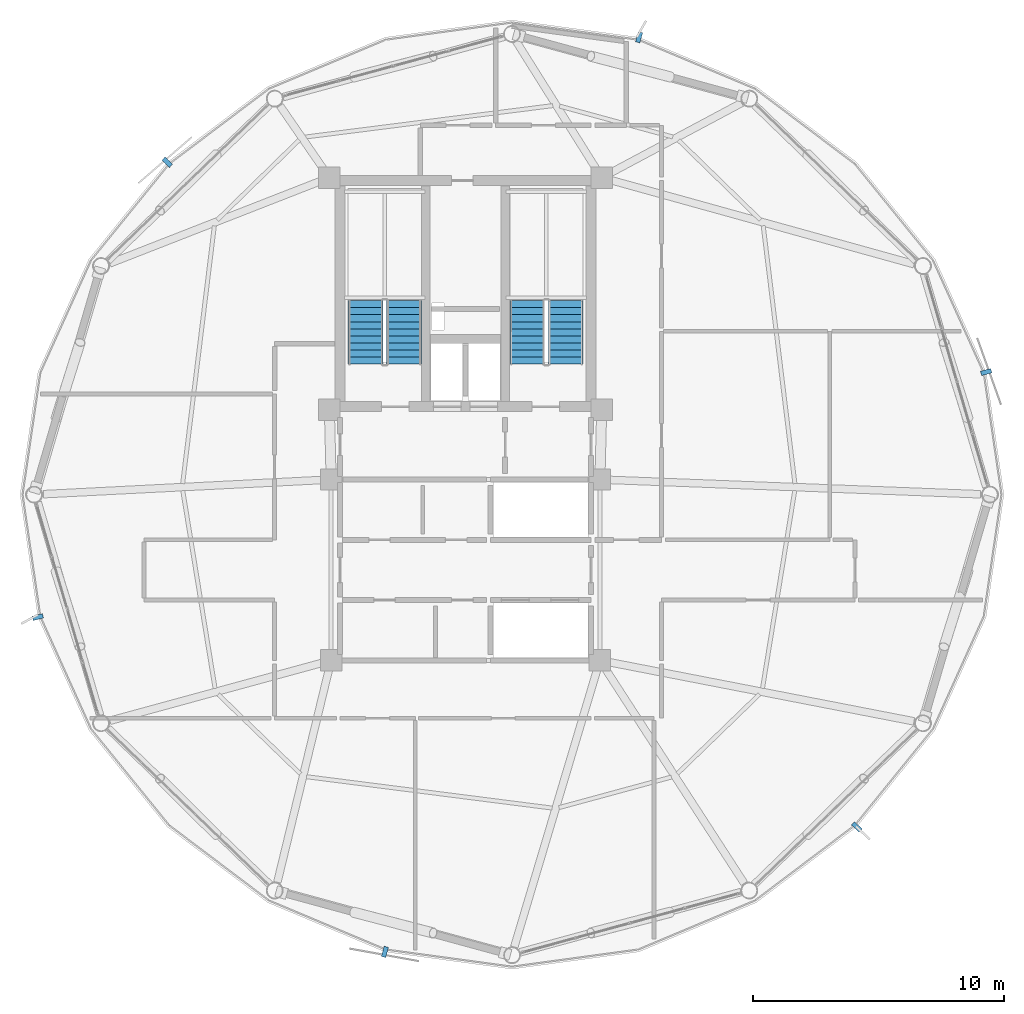
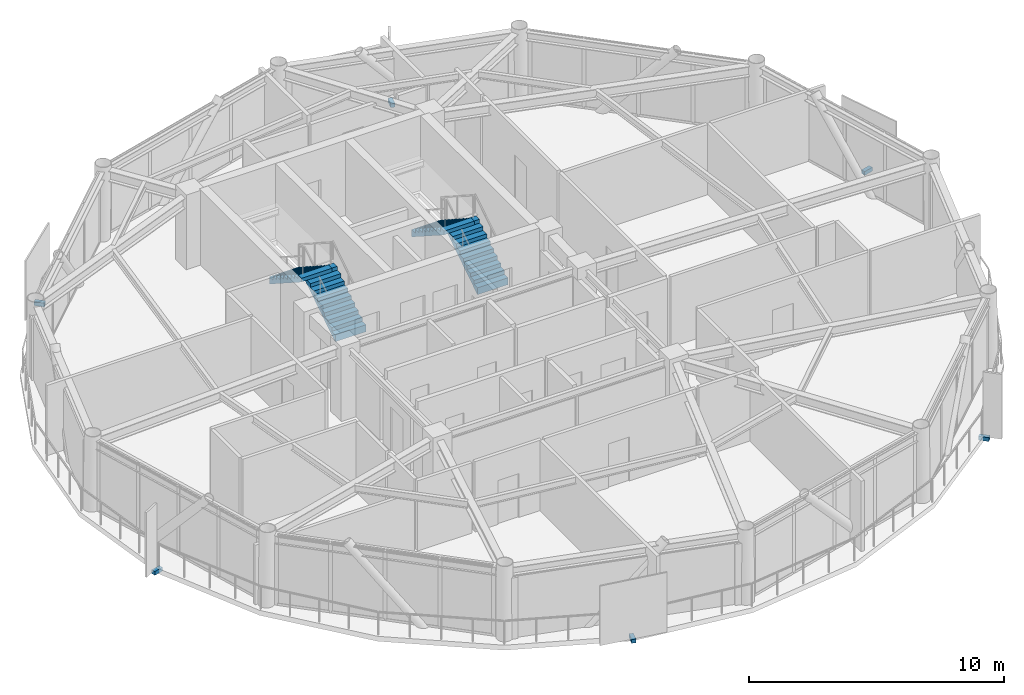
# One storey, part 23 of 26: 6 discrete accessories, 4 stair flights, 2 elements without a shape of their own.
"""IFC4 building model written with IfcOpenShell, lengths in metres."""

import ifcopenshell
import ifcopenshell.guid

model = None  # the IFC model being written
_history = None  # IfcOwnerHistory: only IFC2X3 demands one
_inside = {}  # id of a spatial element -> (the spatial element, [elements in it])
_under = {}  # id of a project, library or spatial element -> (it, [spatial elements below it])
_declared = {}  # id of a project -> (the project, [libraries it declares])
_typed = {}  # id of a type object -> (the type object, [elements of that type])
_made_of = {}  # id of a material, layer set ... -> (it, [elements and type objects made of it])


def new_model(schema):
    """Start an empty IFC model of exactly this schema.

    Asked for "IFC4X3", IfcOpenShell would pick the latest addendum, in which some entities
    have other attributes; the version numbers below select the first issue.
    IFC2X3 requires an IfcOwnerHistory on every rooted entity: one is made here for all.
    """
    global model, _history
    if schema == "IFC4X3":
        model = ifcopenshell.file(schema_version=(4, 3, 0, 0))
    else:
        model = ifcopenshell.file(schema=schema)
    _inside.clear()
    _under.clear()
    _declared.clear()
    _typed.clear()
    _made_of.clear()
    _history = None
    if model.schema == "IFC2X3":
        org = make("IfcOrganization", Name="unknown")
        user = make(
            "IfcPersonAndOrganization",
            ThePerson=make("IfcPerson", FamilyName="unknown"),
            TheOrganization=org,
        )
        app = make(
            "IfcApplication",
            ApplicationDeveloper=org,
            Version="unknown",
            ApplicationFullName="unknown",
            ApplicationIdentifier="unknown",
        )
        _history = make(
            "IfcOwnerHistory",
            OwningUser=user,
            OwningApplication=app,
            ChangeAction="ADDED",
            CreationDate=0,
        )
    return model


def make(cls, **values):
    """One entity of the class cls with the attributes given. An attribute that is None is left unset."""
    return model.create_entity(
        cls, **{name: value for name, value in values.items() if value is not None}
    )


def rooted(cls, **values):
    """An entity with a GlobalId (a new one), such as an element, a storey or a relation."""
    return make(cls, GlobalId=ifcopenshell.guid.new(), OwnerHistory=_history, **values)


def si_unit(unit_type, name, prefix=None):
    """IfcSIUnit, for example si_unit("LENGTHUNIT", "METRE", prefix="MILLI")."""
    return make("IfcSIUnit", UnitType=unit_type, Prefix=prefix, Name=name)


def assignment(units):
    """IfcUnitAssignment: the units of a project."""
    return None if units is None else make("IfcUnitAssignment", Units=units)


def point(xyz):
    """IfcCartesianPoint."""
    return None if xyz is None else make("IfcCartesianPoint", Coordinates=xyz)


def direction(xyz):
    """IfcDirection."""
    return None if xyz is None else make("IfcDirection", DirectionRatios=xyz)


def frame(location, z_axis=None, x_axis=None):
    """IfcAxis2Placement3D, a coordinate frame: its origin and axes. An axis left out is left unset."""
    return make(
        "IfcAxis2Placement3D",
        Location=point(location),
        Axis=direction(z_axis),
        RefDirection=direction(x_axis),
    )


def frame_2d(location, x_axis=None):
    """IfcAxis2Placement2D, a coordinate frame in the plane: its origin and x axis."""
    return make(
        "IfcAxis2Placement2D", Location=point(location), RefDirection=direction(x_axis)
    )


def origin():
    """The frame at (0, 0, 0) with its axes left unset."""
    return frame((0.0, 0.0, 0.0))


def origin_2d():
    """The frame at (0, 0) in the plane with its x axis left unset."""
    return frame_2d((0.0, 0.0))


def place(relative_to, where):
    """IfcLocalPlacement: puts the frame where relative to a parent placement (None: the world)."""
    return make(
        "IfcLocalPlacement", PlacementRelTo=relative_to, RelativePlacement=where
    )


def context(
    kind, dimensions, precision=None, world=None, true_north=None, identifier=None
):
    """IfcGeometricRepresentationContext, for example the 3D "Model" context."""
    return make(
        "IfcGeometricRepresentationContext",
        ContextIdentifier=identifier,
        ContextType=kind,
        CoordinateSpaceDimension=dimensions,
        Precision=precision,
        WorldCoordinateSystem=world,
        TrueNorth=true_north,
    )


def subcontext(parent, identifier, kind, view, scale=None):
    """IfcGeometricRepresentationSubContext, for example "Body" below "Model"."""
    return make(
        "IfcGeometricRepresentationSubContext",
        ContextIdentifier=identifier,
        ContextType=kind,
        ParentContext=parent,
        TargetScale=scale,
        TargetView=view,
    )


def project(units=None, contexts=None):
    """IfcProject with its units and contexts."""
    return rooted(
        "IfcProject",
        Name="project",
        RepresentationContexts=contexts,
        UnitsInContext=assignment(units),
    )


def spatial(cls, under=None, at=None, **own):
    """A site, building, storey or space (cls), placed at a placement, below another one or the project."""
    s = rooted(cls, ObjectPlacement=at, **own)
    if under is not None:
        _under.setdefault(under.id(), (under, []))[1].append(s)
    return s


def polyline(points):
    """IfcPolyline through the points."""
    return make("IfcPolyline", Points=[point(p) for p in points])


def profile(cls, at=None, kind="AREA", **sizes):
    """A parametric profile (cls). Its sizes go by their IFC names, for example OverallWidth=200.0."""
    return make(cls, ProfileType=kind, Position=at, **sizes)


def rectangle(**sizes):
    """IfcRectangleProfileDef."""
    return profile("IfcRectangleProfileDef", **sizes)


def outline(outer, holes=None, kind="AREA"):
    """IfcArbitraryClosedProfileDef: a profile drawn as a closed curve; with holes, ...WithVoids."""
    if holes is None:
        return make("IfcArbitraryClosedProfileDef", ProfileType=kind, OuterCurve=outer)
    return make(
        "IfcArbitraryProfileDefWithVoids",
        ProfileType=kind,
        OuterCurve=outer,
        InnerCurves=holes,
    )


def extrude(swept, where, along, depth):
    """IfcExtrudedAreaSolid: the profile swept, set in the frame where, extruded along a direction by depth."""
    return make(
        "IfcExtrudedAreaSolid",
        SweptArea=swept,
        Position=where,
        ExtrudedDirection=direction(along),
        Depth=depth,
    )


def shape(context_of_items, identifier, shape_type, items):
    """IfcShapeRepresentation: the items that make up one representation, for example the "Body"."""
    return make(
        "IfcShapeRepresentation",
        ContextOfItems=context_of_items,
        RepresentationIdentifier=identifier,
        RepresentationType=shape_type,
        Items=items,
    )


def source(mapping_origin, context_of_items, identifier, shape_type, items):
    """IfcRepresentationMap: a shape defined once, which mapped items show again and again."""
    return make(
        "IfcRepresentationMap",
        MappingOrigin=mapping_origin,
        MappedRepresentation=shape(context_of_items, identifier, shape_type, items),
    )


def transform(
    local_origin,
    x_axis=None,
    y_axis=None,
    z_axis=None,
    scale=None,
    scale2=None,
    scale3=None,
    uniform=True,
):
    """IfcCartesianTransformationOperator3D, or its non-uniform kind. x_axis, y_axis, z_axis: its Axis1, 2, 3."""
    if uniform:
        return make(
            "IfcCartesianTransformationOperator3D",
            Axis1=direction(x_axis),
            Axis2=direction(y_axis),
            LocalOrigin=point(local_origin),
            Scale=scale,
            Axis3=direction(z_axis),
        )
    return make(
        "IfcCartesianTransformationOperator3DnonUniform",
        Axis1=direction(x_axis),
        Axis2=direction(y_axis),
        LocalOrigin=point(local_origin),
        Scale=scale,
        Axis3=direction(z_axis),
        Scale2=scale2,
        Scale3=scale3,
    )


def mapped(mapping_source, mapping_target):
    """IfcMappedItem: shows the shape of a source again, moved by a transform."""
    return make(
        "IfcMappedItem", MappingSource=mapping_source, MappingTarget=mapping_target
    )


def material(Name=None, Category=None):
    """IfcMaterial."""
    return make("IfcMaterial", Name=Name, Category=Category)


def made_of(thing, what):
    """Note that an element or type object is made of a material, layer set ...; save() writes the relation."""
    if what is not None:
        _made_of.setdefault(what.id(), (what, []))[1].append(thing)
    return thing


def type_object(cls, material=None, **own):
    """A type object (cls), such as IfcWallType, which elements share."""
    return made_of(rooted(cls, **own), material)


def type_shapes(of_type, sources):
    """Give a type object the sources (RepresentationMaps) that its elements show as mapped items."""
    of_type.RepresentationMaps = sources


def element(
    cls,
    number,
    at=None,
    inside=None,
    cuts=None,
    type_object=None,
    material=None,
    context=None,
    identifier="Body",
    shape_type=None,
    held_by="IfcProductDefinitionShape",
    body=None,
    shapes=None,
    **own,
):
    """One element of the class cls, such as IfcWall. Its Tag is "e" and its number.

    at: its placement. inside: the storey or other place that contains it. cuts: it is an
    opening in that element (IfcRelVoidsElement). A single representation is given by context,
    identifier, shape_type and body (its items); several are given by shapes. held_by: the class
    of the entity that holds the representations. save() writes the other relations.
    """
    e = rooted(cls, Tag="e%d" % number, ObjectPlacement=at, **own)
    if body is not None:
        shapes = [shape(context, identifier, shape_type, body)]
    if shapes is not None:
        e.Representation = make(held_by, Representations=shapes)
    if inside is not None:
        _inside.setdefault(inside.id(), (inside, []))[1].append(e)
    if cuts is not None:
        rooted(
            "IfcRelVoidsElement", RelatingBuildingElement=cuts, RelatedOpeningElement=e
        )
    if type_object is not None:
        _typed.setdefault(type_object.id(), (type_object, []))[1].append(e)
    return made_of(e, material)


def aggregate(whole, parts):
    """IfcRelAggregates: a whole, such as a stair, and the parts it consists of."""
    return rooted("IfcRelAggregates", RelatingObject=whole, RelatedObjects=parts)


def save(model, path):
    """Write the relations noted so far, then the file.

    IfcRelAggregates (storeys below a building ...), IfcRelContainedInSpatialStructure (elements
    in a storey), IfcRelDefinesByType, IfcRelAssociatesMaterial and IfcRelDeclares: one each for
    every whole, place, type object, material and project.
    """
    for whole, parts in _under.values():
        aggregate(whole, parts)
    for where, things in _inside.values():
        rooted(
            "IfcRelContainedInSpatialStructure",
            RelatedElements=things,
            RelatingStructure=where,
        )
    for kind, things in _typed.values():
        rooted("IfcRelDefinesByType", RelatedObjects=things, RelatingType=kind)
    for what, things in _made_of.values():
        rooted("IfcRelAssociatesMaterial", RelatedObjects=things, RelatingMaterial=what)
    for by, libraries in _declared.values():
        rooted("IfcRelDeclares", RelatingContext=by, RelatedDefinitions=libraries)
    model.write(path)


model = new_model("IFC4")

# Units and contexts
model_context = context("Model", 3, precision=1e-05, world=origin(), true_north=direction((0.0, 1.0)))
body_context = subcontext(model_context, "Body", "Model", "MODEL_VIEW")
ifc_project = project(units=[si_unit("LENGTHUNIT", "METRE"), si_unit("AREAUNIT", "SQUARE_METRE"), si_unit("VOLUMEUNIT", "CUBIC_METRE"), si_unit("PLANEANGLEUNIT", "RADIAN"), si_unit("MASSUNIT", "GRAM", prefix="KILO")], contexts=[model_context])

# Site, building, storey
site_placement = place(None, origin())
site = spatial("IfcSite", under=ifc_project, at=site_placement, CompositionType="ELEMENT")
building_placement = place(site_placement, origin())
building = spatial("IfcBuilding", under=site, at=building_placement, Name="Varnakorn Sky Granary", CompositionType="ELEMENT")
storey_placement = place(building_placement, frame((0.0, 0.0, 218.39990234375)))
storey = spatial("IfcBuildingStorey", under=building, at=storey_placement, Name="L55", CompositionType="ELEMENT", Elevation=218.39990234375)

# Stair, stair flights
ifc_material_1 = material(Name="Concrete C40/50", Category="concrete")
stair_type = type_object("IfcStairType", Name="ST-MAIN-ASSEMBLY", PredefinedType="HALF_TURN_STAIR", material=ifc_material_1)
stair_1_placement = place(storey_placement, origin())
stair_1 = element("IfcStair", 1, at=stair_1_placement, inside=storey, type_object=stair_type, Name="L55 Protected Exit Stair ST-1", PredefinedType="HALF_TURN_STAIR")
stair_flight_type = type_object("IfcStairFlightType", Name="ST-MAIN-FLIGHT", PredefinedType="STRAIGHT", material=ifc_material_1)
stair_flight_1_placement = place(storey_placement, frame((0.550048828125, 5.199951171875, 0.0), z_axis=(0.0, 0.0, 1.0), x_axis=(0.0, 1.0, 0.0)))
stair_flight_1 = element("IfcStairFlight", 2, at=stair_flight_1_placement, type_object=stair_flight_type, Name="ST-1 flight 1", NumberOfRisers=10, NumberOfTreads=9, PredefinedType="STRAIGHT", RiserHeight=0.18, TreadLength=0.28, context=body_context, shape_type="SweptSolid", body=[
    extrude(outline(polyline([(0.0, -0.14990234375), (0.0, 0.0), (0.0, 0.179931640625), (0.280029296875, 0.179931640625), (0.280029296875, 0.360107421875), (0.56005859375, 0.360107421875), (0.56005859375, 0.5400390625), (0.840087890625, 0.5400390625), (0.840087890625, 0.719970703125), (1.1201171875, 0.719970703125), (1.1201171875, 0.89990234375), (1.39990234375, 0.89990234375), (1.39990234375, 1.080078125), (1.679931640625, 1.080078125), (1.679931640625, 1.260009765625), (1.9599609375, 1.260009765625), (1.9599609375, 1.43994140625), (2.239990234375, 1.43994140625), (2.239990234375, 1.6201171875), (2.52001953125, 1.6201171875), (2.52001953125, 1.800048828125), (2.52001953125, 1.44189453125), (0.050048828125, -0.14990234375), (0.0, -0.14990234375)])), frame((0.0, 0.68994140625, 0.0), z_axis=(0.0, -1.0, 0.0), x_axis=(1.0, 0.0, 0.0)), (0.0, 0.0, 1.0), 1.3798828125),
])
stair_flight_2_placement = place(storey_placement, frame((-0.97998046875, 7.719970703125, 1.800048828125), z_axis=(0.0, 0.0, 1.0), x_axis=(0.0, -1.0, 0.0)))
stair_flight_2 = element("IfcStairFlight", 3, at=stair_flight_2_placement, type_object=stair_flight_type, Name="ST-1 flight 2", NumberOfRisers=10, NumberOfTreads=9, PredefinedType="STRAIGHT", RiserHeight=0.18, TreadLength=0.28, context=body_context, shape_type="SweptSolid", body=[
    extrude(outline(polyline([(0.0, -0.14990234375), (0.0, 0.0), (0.0, 0.179931640625), (0.280029296875, 0.179931640625), (0.280029296875, 0.360107421875), (0.56005859375, 0.360107421875), (0.56005859375, 0.5400390625), (0.840087890625, 0.5400390625), (0.840087890625, 0.719970703125), (1.1201171875, 0.719970703125), (1.1201171875, 0.89990234375), (1.39990234375, 0.89990234375), (1.39990234375, 1.080078125), (1.679931640625, 1.080078125), (1.679931640625, 1.260009765625), (1.9599609375, 1.260009765625), (1.9599609375, 1.43994140625), (2.239990234375, 1.43994140625), (2.239990234375, 1.6201171875), (2.52001953125, 1.6201171875), (2.52001953125, 1.800048828125), (2.52001953125, 1.44189453125), (0.050048828125, -0.14990234375), (0.0, -0.14990234375)])), frame((0.0, 0.68994140625, 0.0), z_axis=(0.0, -1.0, 0.0), x_axis=(1.0, 0.0, 0.0)), (0.0, 0.0, 1.0), 1.3798828125),
])
aggregate(stair_1, [stair_flight_1, stair_flight_2])

stair_2_placement = place(storey_placement, origin())
stair_2 = element("IfcStair", 4, at=stair_2_placement, inside=storey, type_object=stair_type, Name="L55 Protected Exit Stair ST-2", PredefinedType="HALF_TURN_STAIR")
stair_flight_3_placement = place(storey_placement, frame((6.989990234375, 5.199951171875, 0.0), z_axis=(0.0, 0.0, 1.0), x_axis=(0.0, 1.0, 0.0)))
stair_flight_3 = element("IfcStairFlight", 5, at=stair_flight_3_placement, type_object=stair_flight_type, Name="ST-2 flight 1", NumberOfRisers=10, NumberOfTreads=9, PredefinedType="STRAIGHT", RiserHeight=0.18, TreadLength=0.28, context=body_context, shape_type="SweptSolid", body=[
    extrude(outline(polyline([(0.0, -0.14990234375), (0.0, 0.0), (0.0, 0.179931640625), (0.280029296875, 0.179931640625), (0.280029296875, 0.360107421875), (0.56005859375, 0.360107421875), (0.56005859375, 0.5400390625), (0.840087890625, 0.5400390625), (0.840087890625, 0.719970703125), (1.1201171875, 0.719970703125), (1.1201171875, 0.89990234375), (1.39990234375, 0.89990234375), (1.39990234375, 1.080078125), (1.679931640625, 1.080078125), (1.679931640625, 1.260009765625), (1.9599609375, 1.260009765625), (1.9599609375, 1.43994140625), (2.239990234375, 1.43994140625), (2.239990234375, 1.6201171875), (2.52001953125, 1.6201171875), (2.52001953125, 1.800048828125), (2.52001953125, 1.44189453125), (0.050048828125, -0.14990234375), (0.0, -0.14990234375)])), frame((0.0, 0.68994140625, 0.0), z_axis=(0.0, -1.0, 0.0), x_axis=(1.0, 0.0, 0.0)), (0.0, 0.0, 1.0), 1.3798828125),
])
stair_flight_4_placement = place(storey_placement, frame((5.4599609375, 7.719970703125, 1.800048828125), z_axis=(0.0, 0.0, 1.0), x_axis=(0.0, -1.0, 0.0)))
stair_flight_4 = element("IfcStairFlight", 6, at=stair_flight_4_placement, type_object=stair_flight_type, Name="ST-2 flight 2", NumberOfRisers=10, NumberOfTreads=9, PredefinedType="STRAIGHT", RiserHeight=0.18, TreadLength=0.28, context=body_context, shape_type="SweptSolid", body=[
    extrude(outline(polyline([(0.0, -0.14990234375), (0.0, 0.0), (0.0, 0.179931640625), (0.280029296875, 0.179931640625), (0.280029296875, 0.360107421875), (0.56005859375, 0.360107421875), (0.56005859375, 0.5400390625), (0.840087890625, 0.5400390625), (0.840087890625, 0.719970703125), (1.1201171875, 0.719970703125), (1.1201171875, 0.89990234375), (1.39990234375, 0.89990234375), (1.39990234375, 1.080078125), (1.679931640625, 1.080078125), (1.679931640625, 1.260009765625), (1.9599609375, 1.260009765625), (1.9599609375, 1.43994140625), (2.239990234375, 1.43994140625), (2.239990234375, 1.6201171875), (2.52001953125, 1.6201171875), (2.52001953125, 1.800048828125), (2.52001953125, 1.44189453125), (0.050048828125, -0.14990234375), (0.0, -0.14990234375)])), frame((0.0, 0.68994140625, 0.0), z_axis=(0.0, -1.0, 0.0), x_axis=(1.0, 0.0, 0.0)), (0.0, 0.0, 1.0), 1.3798828125),
])
aggregate(stair_2, [stair_flight_3, stair_flight_4])

# Discrete accessories
ifc_material_2 = material(Name="Steel S355JR", Category="steel")
discrete_accessory_type = type_object("IfcDiscreteAccessoryType", Name="AC-BRK-01", PredefinedType="BRACKET", material=ifc_material_2)
shared_shape = source(origin(), body_context, "Body", "SweptSolid", [
    extrude(rectangle(XDim=0.179931640625, YDim=0.419921875, at=origin_2d()), origin(), (0.0, 0.0, 1.0), 0.179931640625),
])
type_shapes(discrete_accessory_type, [shared_shape])
for number, where, z_axis, x_axis, name in (
    (7, (23.726318359375, 4.87744140625, -0.19970703125), (0.0, 0.0, 1.0), (-0.250171138582, 0.968201632626, 0.0), "Facade Solar-Screen Outrigger Bracket L55-01"),
    (8, (9.908935546875, 18.206298828125, -0.19970703125), (0.0, 0.0, 1.0), (-0.963496236661, 0.267721874228, 0.0), "Facade Solar-Screen Outrigger Bracket L55-03"),
    (9, (-8.87451171875, 13.231201171875, -0.19970703125), (0.0, 0.0, 1.0), (-0.694052723898, -0.719924174097, 0.0), "Facade Solar-Screen Outrigger Bracket L55-05"),
    (10, (-14.0263671875, -4.87744140625, -0.19970703125), (0.0, 0.0, 1.0), (0.250171138582, -0.968201632626, 0.0), "Facade Solar-Screen Outrigger Bracket L55-07"),
    (11, (-0.208984375, -18.206298828125, -0.19970703125), (0.0, 0.0, 1.0), (0.963496236661, -0.267721874228, 0.0), "Facade Solar-Screen Outrigger Bracket L55-09"),
    (12, (18.574462890625, -13.231201171875, -0.19970703125), (0.0, 0.0, 1.0), (0.694052723898, 0.719924174097, 0.0), "Facade Solar-Screen Outrigger Bracket L55-11"),
):
    element("IfcDiscreteAccessory", number, at=place(storey_placement, frame(where, z_axis=z_axis, x_axis=x_axis)), inside=storey, type_object=discrete_accessory_type, Name=name, PredefinedType="BRACKET", context=body_context, shape_type="MappedRepresentation", body=[
        mapped(shared_shape, transform((0.0, 0.0, 0.0), x_axis=(1.0, 0.0, 0.0), y_axis=(0.0, 1.0, 0.0), z_axis=(0.0, 0.0, 1.0), scale=1.0)),
    ])

save(model, "model.ifc")
